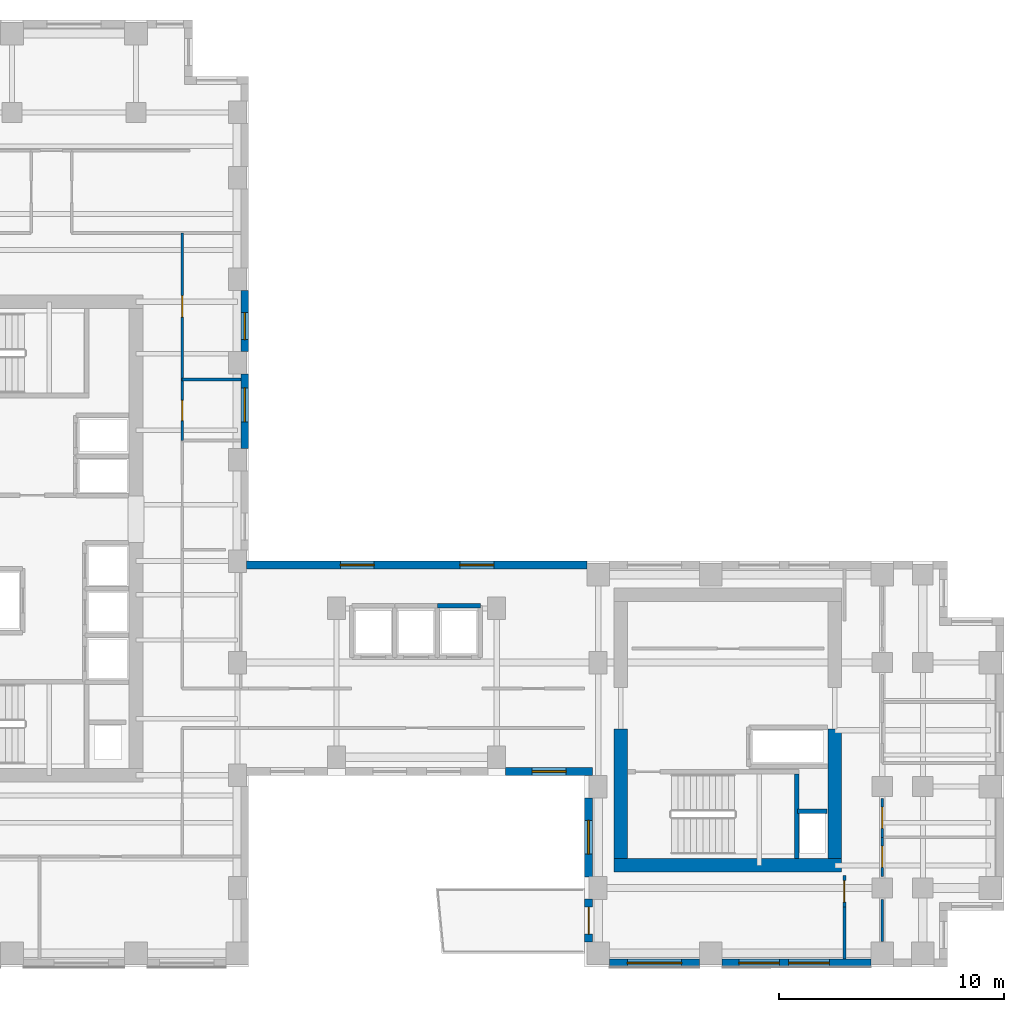
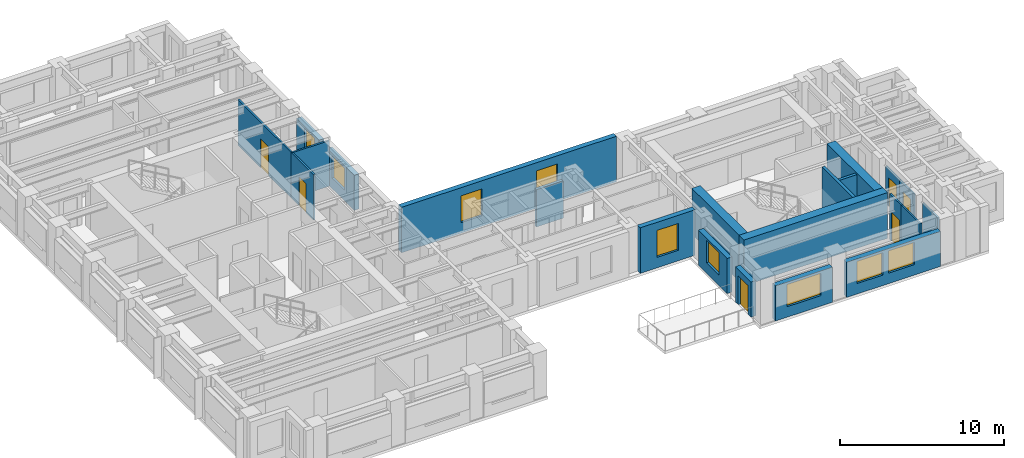
# One storey, part 6 of 12: 22 walls, 9 windows, 6 doors, 15 openings.
"""IFC4 building model written with IfcOpenShell, lengths in metres."""

import ifcopenshell
import ifcopenshell.guid

model = None  # the IFC model being written
_history = None  # IfcOwnerHistory: only IFC2X3 demands one
_inside = {}  # id of a spatial element -> (the spatial element, [elements in it])
_under = {}  # id of a project, library or spatial element -> (it, [spatial elements below it])
_declared = {}  # id of a project -> (the project, [libraries it declares])
_typed = {}  # id of a type object -> (the type object, [elements of that type])
_made_of = {}  # id of a material, layer set ... -> (it, [elements and type objects made of it])


def new_model(schema):
    """Start an empty IFC model of exactly this schema.

    Asked for "IFC4X3", IfcOpenShell would pick the latest addendum, in which some entities
    have other attributes; the version numbers below select the first issue.
    IFC2X3 requires an IfcOwnerHistory on every rooted entity: one is made here for all.
    """
    global model, _history
    if schema == "IFC4X3":
        model = ifcopenshell.file(schema_version=(4, 3, 0, 0))
    else:
        model = ifcopenshell.file(schema=schema)
    _inside.clear()
    _under.clear()
    _declared.clear()
    _typed.clear()
    _made_of.clear()
    _history = None
    if model.schema == "IFC2X3":
        org = make("IfcOrganization", Name="unknown")
        user = make(
            "IfcPersonAndOrganization",
            ThePerson=make("IfcPerson", FamilyName="unknown"),
            TheOrganization=org,
        )
        app = make(
            "IfcApplication",
            ApplicationDeveloper=org,
            Version="unknown",
            ApplicationFullName="unknown",
            ApplicationIdentifier="unknown",
        )
        _history = make(
            "IfcOwnerHistory",
            OwningUser=user,
            OwningApplication=app,
            ChangeAction="ADDED",
            CreationDate=0,
        )
    return model


def make(cls, **values):
    """One entity of the class cls with the attributes given. An attribute that is None is left unset."""
    return model.create_entity(
        cls, **{name: value for name, value in values.items() if value is not None}
    )


def rooted(cls, **values):
    """An entity with a GlobalId (a new one), such as an element, a storey or a relation."""
    return make(cls, GlobalId=ifcopenshell.guid.new(), OwnerHistory=_history, **values)


def si_unit(unit_type, name, prefix=None):
    """IfcSIUnit, for example si_unit("LENGTHUNIT", "METRE", prefix="MILLI")."""
    return make("IfcSIUnit", UnitType=unit_type, Prefix=prefix, Name=name)


def assignment(units):
    """IfcUnitAssignment: the units of a project."""
    return None if units is None else make("IfcUnitAssignment", Units=units)


def point(xyz):
    """IfcCartesianPoint."""
    return None if xyz is None else make("IfcCartesianPoint", Coordinates=xyz)


def direction(xyz):
    """IfcDirection."""
    return None if xyz is None else make("IfcDirection", DirectionRatios=xyz)


def frame(location, z_axis=None, x_axis=None):
    """IfcAxis2Placement3D, a coordinate frame: its origin and axes. An axis left out is left unset."""
    return make(
        "IfcAxis2Placement3D",
        Location=point(location),
        Axis=direction(z_axis),
        RefDirection=direction(x_axis),
    )


def frame_2d(location, x_axis=None):
    """IfcAxis2Placement2D, a coordinate frame in the plane: its origin and x axis."""
    return make(
        "IfcAxis2Placement2D", Location=point(location), RefDirection=direction(x_axis)
    )


def origin():
    """The frame at (0, 0, 0) with its axes left unset."""
    return frame((0.0, 0.0, 0.0))


def place(relative_to, where):
    """IfcLocalPlacement: puts the frame where relative to a parent placement (None: the world)."""
    return make(
        "IfcLocalPlacement", PlacementRelTo=relative_to, RelativePlacement=where
    )


def context(
    kind, dimensions, precision=None, world=None, true_north=None, identifier=None
):
    """IfcGeometricRepresentationContext, for example the 3D "Model" context."""
    return make(
        "IfcGeometricRepresentationContext",
        ContextIdentifier=identifier,
        ContextType=kind,
        CoordinateSpaceDimension=dimensions,
        Precision=precision,
        WorldCoordinateSystem=world,
        TrueNorth=true_north,
    )


def subcontext(parent, identifier, kind, view, scale=None):
    """IfcGeometricRepresentationSubContext, for example "Body" below "Model"."""
    return make(
        "IfcGeometricRepresentationSubContext",
        ContextIdentifier=identifier,
        ContextType=kind,
        ParentContext=parent,
        TargetScale=scale,
        TargetView=view,
    )


def project(units=None, contexts=None):
    """IfcProject with its units and contexts."""
    return rooted(
        "IfcProject",
        Name="project",
        RepresentationContexts=contexts,
        UnitsInContext=assignment(units),
    )


def spatial(cls, under=None, at=None, **own):
    """A site, building, storey or space (cls), placed at a placement, below another one or the project."""
    s = rooted(cls, ObjectPlacement=at, **own)
    if under is not None:
        _under.setdefault(under.id(), (under, []))[1].append(s)
    return s


def profile(cls, at=None, kind="AREA", **sizes):
    """A parametric profile (cls). Its sizes go by their IFC names, for example OverallWidth=200.0."""
    return make(cls, ProfileType=kind, Position=at, **sizes)


def rectangle(**sizes):
    """IfcRectangleProfileDef."""
    return profile("IfcRectangleProfileDef", **sizes)


def extrude(swept, where, along, depth):
    """IfcExtrudedAreaSolid: the profile swept, set in the frame where, extruded along a direction by depth."""
    return make(
        "IfcExtrudedAreaSolid",
        SweptArea=swept,
        Position=where,
        ExtrudedDirection=direction(along),
        Depth=depth,
    )


def shape(context_of_items, identifier, shape_type, items):
    """IfcShapeRepresentation: the items that make up one representation, for example the "Body"."""
    return make(
        "IfcShapeRepresentation",
        ContextOfItems=context_of_items,
        RepresentationIdentifier=identifier,
        RepresentationType=shape_type,
        Items=items,
    )


def source(mapping_origin, context_of_items, identifier, shape_type, items):
    """IfcRepresentationMap: a shape defined once, which mapped items show again and again."""
    return make(
        "IfcRepresentationMap",
        MappingOrigin=mapping_origin,
        MappedRepresentation=shape(context_of_items, identifier, shape_type, items),
    )


def transform(
    local_origin,
    x_axis=None,
    y_axis=None,
    z_axis=None,
    scale=None,
    scale2=None,
    scale3=None,
    uniform=True,
):
    """IfcCartesianTransformationOperator3D, or its non-uniform kind. x_axis, y_axis, z_axis: its Axis1, 2, 3."""
    if uniform:
        return make(
            "IfcCartesianTransformationOperator3D",
            Axis1=direction(x_axis),
            Axis2=direction(y_axis),
            LocalOrigin=point(local_origin),
            Scale=scale,
            Axis3=direction(z_axis),
        )
    return make(
        "IfcCartesianTransformationOperator3DnonUniform",
        Axis1=direction(x_axis),
        Axis2=direction(y_axis),
        LocalOrigin=point(local_origin),
        Scale=scale,
        Axis3=direction(z_axis),
        Scale2=scale2,
        Scale3=scale3,
    )


def mapped(mapping_source, mapping_target):
    """IfcMappedItem: shows the shape of a source again, moved by a transform."""
    return make(
        "IfcMappedItem", MappingSource=mapping_source, MappingTarget=mapping_target
    )


def material(Name=None, Category=None):
    """IfcMaterial."""
    return make("IfcMaterial", Name=Name, Category=Category)


def layer(
    of_material, thickness, ventilated=None, Name=None, Category=None, Priority=None
):
    """IfcMaterialLayer: one layer of a wall or slab, of a material (None: an air gap)."""
    return make(
        "IfcMaterialLayer",
        Material=of_material,
        LayerThickness=thickness,
        IsVentilated=ventilated,
        Name=Name,
        Category=Category,
        Priority=Priority,
    )


def layer_set(layers, Name=None):
    """IfcMaterialLayerSet."""
    return make("IfcMaterialLayerSet", MaterialLayers=layers, LayerSetName=Name)


def made_of(thing, what):
    """Note that an element or type object is made of a material, layer set ...; save() writes the relation."""
    if what is not None:
        _made_of.setdefault(what.id(), (what, []))[1].append(thing)
    return thing


def type_object(cls, material=None, **own):
    """A type object (cls), such as IfcWallType, which elements share."""
    return made_of(rooted(cls, **own), material)


def element(
    cls,
    number,
    at=None,
    inside=None,
    cuts=None,
    type_object=None,
    material=None,
    context=None,
    identifier="Body",
    shape_type=None,
    held_by="IfcProductDefinitionShape",
    body=None,
    shapes=None,
    **own,
):
    """One element of the class cls, such as IfcWall. Its Tag is "e" and its number.

    at: its placement. inside: the storey or other place that contains it. cuts: it is an
    opening in that element (IfcRelVoidsElement). A single representation is given by context,
    identifier, shape_type and body (its items); several are given by shapes. held_by: the class
    of the entity that holds the representations. save() writes the other relations.
    """
    e = rooted(cls, Tag="e%d" % number, ObjectPlacement=at, **own)
    if body is not None:
        shapes = [shape(context, identifier, shape_type, body)]
    if shapes is not None:
        e.Representation = make(held_by, Representations=shapes)
    if inside is not None:
        _inside.setdefault(inside.id(), (inside, []))[1].append(e)
    if cuts is not None:
        rooted(
            "IfcRelVoidsElement", RelatingBuildingElement=cuts, RelatedOpeningElement=e
        )
    if type_object is not None:
        _typed.setdefault(type_object.id(), (type_object, []))[1].append(e)
    return made_of(e, material)


def fill(opening, filler):
    """IfcRelFillsElement: the door or window that sits in an opening."""
    return rooted(
        "IfcRelFillsElement",
        RelatingOpeningElement=opening,
        RelatedBuildingElement=filler,
    )


def aggregate(whole, parts):
    """IfcRelAggregates: a whole, such as a stair, and the parts it consists of."""
    return rooted("IfcRelAggregates", RelatingObject=whole, RelatedObjects=parts)


def save(model, path):
    """Write the relations noted so far, then the file.

    IfcRelAggregates (storeys below a building ...), IfcRelContainedInSpatialStructure (elements
    in a storey), IfcRelDefinesByType, IfcRelAssociatesMaterial and IfcRelDeclares: one each for
    every whole, place, type object, material and project.
    """
    for whole, parts in _under.values():
        aggregate(whole, parts)
    for where, things in _inside.values():
        rooted(
            "IfcRelContainedInSpatialStructure",
            RelatedElements=things,
            RelatingStructure=where,
        )
    for kind, things in _typed.values():
        rooted("IfcRelDefinesByType", RelatedObjects=things, RelatingType=kind)
    for what, things in _made_of.values():
        rooted("IfcRelAssociatesMaterial", RelatedObjects=things, RelatingMaterial=what)
    for by, libraries in _declared.values():
        rooted("IfcRelDeclares", RelatingContext=by, RelatedDefinitions=libraries)
    model.write(path)


model = new_model("IFC4")

# Units and contexts
model_context = context("Model", 3, precision=1e-05, world=origin(), true_north=direction((0.0, 1.0)))
body_context = subcontext(model_context, "Body", "Model", "MODEL_VIEW")
ifc_project = project(units=[si_unit("LENGTHUNIT", "METRE"), si_unit("AREAUNIT", "SQUARE_METRE"), si_unit("VOLUMEUNIT", "CUBIC_METRE"), si_unit("PLANEANGLEUNIT", "RADIAN"), si_unit("MASSUNIT", "GRAM", prefix="KILO")], contexts=[model_context])

# Site, building, storey
site_placement = place(None, origin())
site = spatial("IfcSite", under=ifc_project, at=site_placement, CompositionType="ELEMENT")
building_placement = place(site_placement, origin())
building = spatial("IfcBuilding", under=site, at=building_placement, Name="Kharzan Plaza Tower", CompositionType="ELEMENT")
storey_placement = place(building_placement, frame((0.0, 0.0, 179.10009765625)))
storey = spatial("IfcBuildingStorey", under=building, at=storey_placement, Name="L48", CompositionType="ELEMENT", Elevation=179.10009765625)

# Wall, opening, window
ifc_material_1 = material(Name="Concrete C40/50", Category="concrete")
ifc_layer_1 = layer(ifc_material_1, 0.35009765625)
ifc_layer_set_1 = layer_set([ifc_layer_1], Name="Concrete C40/50")
wall_type_1 = type_object("IfcWallType", Name="WL-EXT-MAS-Z3", PredefinedType="SOLIDWALL", material=ifc_layer_set_1)
wall_1_placement = place(storey_placement, frame((30.89794921875, 8.675048828125, 0.0), z_axis=(0.0, 0.0, 1.0), x_axis=(1.0, 0.0, 0.0)))
wall_1 = element("IfcWall", 1, at=wall_1_placement, inside=storey, type_object=wall_type_1, Name="L48 Masonry-Frame Exterior Wall 28", PredefinedType="SOLIDWALL", context=body_context, shape_type="SweptSolid", body=[
    extrude(rectangle(XDim=3.85205078125, YDim=0.35009765625, at=frame_2d((1.926025390625, 0.0))), origin(), (0.0, 0.0, 1.0), 3.385009765625),
])
opening_1_placement = place(wall_1_placement, frame((1.176025390625, 0.0, 0.780029296875)))
opening_1 = element("IfcOpeningElement", 2, at=opening_1_placement, cuts=wall_1, Name="Opening W5", PredefinedType="OPENING", context=body_context, shape_type="SweptSolid", body=[
    extrude(rectangle(XDim=1.5, YDim=2.0, at=frame_2d((0.75, 1.0))), frame((0.0, 0.18505859375, 0.0), z_axis=(0.0, -1.0, 0.0), x_axis=(1.0, 0.0, 0.0)), (0.0, 0.0, 1.0), 0.3701171875),
])
ifc_material_2 = material(Name="Low-E Double Glazing", Category="glass")
window_type_1 = type_object("IfcWindowType", Name="WN-SLT-1500x2000", PartitioningType="SINGLE_PANEL", PredefinedType="WINDOW", material=ifc_material_2)
shared_shape_1 = source(origin(), body_context, "Body", "SweptSolid", [
    extrude(rectangle(XDim=1.5, YDim=2.0, at=frame_2d((0.75, 1.0))), frame((0.0, 0.030029296875, 0.0), z_axis=(0.0, -1.0, 0.0), x_axis=(1.0, 0.0, 0.0)), (0.0, 0.0, 1.0), 0.06005859375),
])
window_1_placement = place(opening_1_placement, origin())
window_1 = element("IfcWindow", 3, at=window_1_placement, inside=storey, type_object=window_type_1, Name="L48 Recessed Solar-Control Window 28-1", OverallHeight=2.0, OverallWidth=1.5, PartitioningType="SINGLE_PANEL", PredefinedType="WINDOW", context=body_context, shape_type="MappedRepresentation", body=[
    mapped(shared_shape_1, transform((0.0, 0.0, 0.0), x_axis=(1.0, 0.0, 0.0), y_axis=(0.0, 1.0, 0.0), z_axis=(0.0, 0.0, 1.0))),
])
fill(opening_1, window_1)

wall_2_placement = place(storey_placement, frame((34.574951171875, 7.501953125, 0.0), z_axis=(0.0, 0.0, 1.0), x_axis=(0.0, -1.0, 0.0)))
wall_2 = element("IfcWall", 4, at=wall_2_placement, inside=storey, type_object=wall_type_1, Name="L48 Masonry-Frame Exterior Wall 29", PredefinedType="SOLIDWALL", context=body_context, shape_type="SweptSolid", body=[
    extrude(rectangle(XDim=3.50390625, YDim=0.35009765625, at=frame_2d((1.751953125, 0.0))), origin(), (0.0, 0.0, 1.0), 2.61181640625),
])
opening_2_placement = place(wall_2_placement, frame((1.001953125, 0.0, 0.780029296875)))
opening_2 = element("IfcOpeningElement", 5, at=opening_2_placement, cuts=wall_2, Name="Opening W5", PredefinedType="OPENING", context=body_context, shape_type="SweptSolid", body=[
    extrude(rectangle(XDim=1.5, YDim=1.652099609375, at=frame_2d((0.75, 0.826171875))), frame((0.0, 0.18505859375, 0.0), z_axis=(0.0, -1.0, 0.0), x_axis=(1.0, 0.0, 0.0)), (0.0, 0.0, 1.0), 0.3701171875),
])
shared_shape_2 = source(origin(), body_context, "Body", "SweptSolid", [
    extrude(rectangle(XDim=1.5, YDim=1.652099609375, at=frame_2d((0.75, 0.826171875))), frame((0.0, 0.030029296875, 0.0), z_axis=(0.0, -1.0, 0.0), x_axis=(1.0, 0.0, 0.0)), (0.0, 0.0, 1.0), 0.06005859375),
])
window_2_placement = place(opening_2_placement, origin())
window_2 = element("IfcWindow", 6, at=window_2_placement, inside=storey, type_object=window_type_1, Name="L48 Recessed Solar-Control Window 29-1", OverallHeight=1.652099609375, OverallWidth=1.5, PartitioningType="SINGLE_PANEL", PredefinedType="WINDOW", context=body_context, shape_type="MappedRepresentation", body=[
    mapped(shared_shape_2, transform((0.0, 0.0, 0.0), x_axis=(1.0, 0.0, 0.0), y_axis=(0.0, 1.0, 0.0), z_axis=(0.0, 0.0, 1.0))),
])
fill(opening_2, window_2)

# Wall, opening, door
wall_3_placement = place(storey_placement, frame((34.574951171875, 3.001953125, 0.0), z_axis=(0.0, 0.0, 1.0), x_axis=(0.0, -1.0, 0.0)))
wall_3 = element("IfcWall", 7, at=wall_3_placement, inside=storey, type_object=wall_type_1, Name="L48 Masonry-Frame Exterior Wall 30", PredefinedType="SOLIDWALL", context=body_context, shape_type="SweptSolid", body=[
    extrude(rectangle(XDim=1.904052734375, YDim=0.35009765625, at=frame_2d((0.9521484375, 0.0))), origin(), (0.0, 0.0, 1.0), 2.61181640625),
])
opening_3_placement = place(wall_3_placement, frame((0.35205078125, 0.0, 0.0)))
opening_3 = element("IfcOpeningElement", 8, at=opening_3_placement, cuts=wall_3, Name="Opening ED3", PredefinedType="OPENING", context=body_context, shape_type="SweptSolid", body=[
    extrude(rectangle(XDim=1.199951171875, YDim=2.14990234375, at=frame_2d((0.60009765625, 1.074951171875))), frame((0.0, 0.18505859375, 0.0), z_axis=(0.0, -1.0, 0.0), x_axis=(1.0, 0.0, 0.0)), (0.0, 0.0, 1.0), 0.3701171875),
])
ifc_material_3 = material(Name="Thermally Broken Anodized Bronze Aluminium", Category="aluminium")
door_type_1 = type_object("IfcDoorType", Name="DR-EXT-TRAY-1200", OperationType="SINGLE_SWING_LEFT", PredefinedType="DOOR", material=ifc_material_3)
shared_shape_3 = source(origin(), body_context, "Body", "SweptSolid", [
    extrude(rectangle(XDim=1.199951171875, YDim=2.14990234375, at=frame_2d((0.60009765625, 1.074951171875))), frame((0.0, 0.02490234375, 0.0), z_axis=(0.0, -1.0, 0.0), x_axis=(1.0, 0.0, 0.0)), (0.0, 0.0, 1.0), 0.050048828125),
])
door_1_placement = place(opening_3_placement, frame((1.199951171875, 0.0, 0.0), z_axis=(0.0, 0.0, 1.0), x_axis=(-1.0, 0.0, 0.0)))
door_1 = element("IfcDoor", 9, at=door_1_placement, inside=storey, type_object=door_type_1, Name="L48 Cantilevered Sky-Terrace Tray Access Door", OperationType="SINGLE_SWING_LEFT", OverallHeight=2.14990234375, OverallWidth=1.199951171875, PredefinedType="DOOR", context=body_context, shape_type="MappedRepresentation", body=[
    mapped(shared_shape_3, transform((0.0, 0.0, 0.0), x_axis=(1.0, 0.0, 0.0), y_axis=(0.0, 1.0, 0.0), z_axis=(0.0, 0.0, 1.0))),
])
fill(opening_3, door_1)

# Wall, opening, window
wall_4_placement = place(storey_placement, frame((35.498046875, 0.175048828125, 0.0), z_axis=(0.0, 0.0, 1.0), x_axis=(1.0, 0.0, 0.0)))
wall_4 = element("IfcWall", 10, at=wall_4_placement, inside=storey, type_object=wall_type_1, Name="L48 Masonry-Frame Exterior Wall 31", PredefinedType="SOLIDWALL", context=body_context, shape_type="SweptSolid", body=[
    extrude(rectangle(XDim=4.00390625, YDim=0.35009765625, at=frame_2d((2.001953125, 0.0))), origin(), (0.0, 0.0, 1.0), 2.61181640625),
])
opening_4_placement = place(wall_4_placement, frame((0.802001953125, 0.0, 0.780029296875)))
opening_4 = element("IfcOpeningElement", 11, at=opening_4_placement, cuts=wall_4, Name="Opening W2", PredefinedType="OPENING", context=body_context, shape_type="SweptSolid", body=[
    extrude(rectangle(XDim=2.39990234375, YDim=1.652099609375, at=frame_2d((1.199951171875, 0.826171875))), frame((0.0, 0.18505859375, 0.0), z_axis=(0.0, -1.0, 0.0), x_axis=(1.0, 0.0, 0.0)), (0.0, 0.0, 1.0), 0.3701171875),
])
window_type_2 = type_object("IfcWindowType", Name="WN-REC-2400x2100", PartitioningType="SINGLE_PANEL", PredefinedType="WINDOW", material=ifc_material_2)
shared_shape_4 = source(origin(), body_context, "Body", "SweptSolid", [
    extrude(rectangle(XDim=2.39990234375, YDim=1.652099609375, at=frame_2d((1.199951171875, 0.826171875))), frame((0.0, 0.030029296875, 0.0), z_axis=(0.0, -1.0, 0.0), x_axis=(1.0, 0.0, 0.0)), (0.0, 0.0, 1.0), 0.06005859375),
])
window_3_placement = place(opening_4_placement, origin())
window_3 = element("IfcWindow", 12, at=window_3_placement, inside=storey, type_object=window_type_2, Name="L48 Wide Recessed Solar-Control Window 31-1", OverallHeight=1.652099609375, OverallWidth=2.39990234375, PartitioningType="SINGLE_PANEL", PredefinedType="WINDOW", context=body_context, shape_type="MappedRepresentation", body=[
    mapped(shared_shape_4, transform((0.0, 0.0, 0.0), x_axis=(1.0, 0.0, 0.0), y_axis=(0.0, 1.0, 0.0), z_axis=(0.0, 0.0, 1.0))),
])
fill(opening_4, window_3)

# Wall, openings, windows
wall_5_placement = place(storey_placement, frame((40.498046875, 0.175048828125, 0.0), z_axis=(0.0, 0.0, 1.0), x_axis=(1.0, 0.0, 0.0)))
wall_5 = element("IfcWall", 13, at=wall_5_placement, inside=storey, type_object=wall_type_1, Name="L48 Masonry-Frame Exterior Wall 32", PredefinedType="SOLIDWALL", context=body_context, shape_type="SweptSolid", body=[
    extrude(rectangle(XDim=6.60400390625, YDim=0.35009765625, at=frame_2d((3.302001953125, 0.0))), origin(), (0.0, 0.0, 1.0), 2.61181640625),
])
opening_5_placement = place(wall_5_placement, frame((0.7373046875, 0.0, 0.780029296875)))
opening_5 = element("IfcOpeningElement", 14, at=opening_5_placement, cuts=wall_5, Name="Opening W1", PredefinedType="OPENING", context=body_context, shape_type="SweptSolid", body=[
    extrude(rectangle(XDim=1.800048828125, YDim=1.652099609375, at=frame_2d((0.89990234375, 0.826171875))), frame((0.0, 0.18505859375, 0.0), z_axis=(0.0, -1.0, 0.0), x_axis=(1.0, 0.0, 0.0)), (0.0, 0.0, 1.0), 0.3701171875),
])
opening_6_placement = place(wall_5_placement, frame((2.95458984375, 0.0, 0.780029296875)))
opening_6 = element("IfcOpeningElement", 15, at=opening_6_placement, cuts=wall_5, Name="Opening W1", PredefinedType="OPENING", context=body_context, shape_type="SweptSolid", body=[
    extrude(rectangle(XDim=1.800048828125, YDim=1.652099609375, at=frame_2d((0.89990234375, 0.826171875))), frame((0.0, 0.18505859375, 0.0), z_axis=(0.0, -1.0, 0.0), x_axis=(1.0, 0.0, 0.0)), (0.0, 0.0, 1.0), 0.3701171875),
])
window_type_3 = type_object("IfcWindowType", Name="WN-REC-1800x2100", PartitioningType="SINGLE_PANEL", PredefinedType="WINDOW", material=ifc_material_2)
shared_shape_5 = source(origin(), body_context, "Body", "SweptSolid", [
    extrude(rectangle(XDim=1.800048828125, YDim=1.652099609375, at=frame_2d((0.89990234375, 0.826171875))), frame((0.0, 0.030029296875, 0.0), z_axis=(0.0, -1.0, 0.0), x_axis=(1.0, 0.0, 0.0)), (0.0, 0.0, 1.0), 0.06005859375),
])
window_4_placement = place(opening_5_placement, origin())
window_4 = element("IfcWindow", 16, at=window_4_placement, inside=storey, type_object=window_type_3, Name="L48 Recessed Solar-Control Window 32-1", OverallHeight=1.652099609375, OverallWidth=1.800048828125, PartitioningType="SINGLE_PANEL", PredefinedType="WINDOW", context=body_context, shape_type="MappedRepresentation", body=[
    mapped(shared_shape_5, transform((0.0, 0.0, 0.0), x_axis=(1.0, 0.0, 0.0), y_axis=(0.0, 1.0, 0.0), z_axis=(0.0, 0.0, 1.0))),
])
fill(opening_5, window_4)
window_5_placement = place(opening_6_placement, origin())
window_5 = element("IfcWindow", 17, at=window_5_placement, inside=storey, type_object=window_type_3, Name="L48 Recessed Solar-Control Window 32-2", OverallHeight=1.652099609375, OverallWidth=1.800048828125, PartitioningType="SINGLE_PANEL", PredefinedType="WINDOW", context=body_context, shape_type="MappedRepresentation", body=[
    mapped(shared_shape_5, transform((0.0, 0.0, 0.0), x_axis=(1.0, 0.0, 0.0), y_axis=(0.0, 1.0, 0.0), z_axis=(0.0, 0.0, 1.0))),
])
fill(opening_6, window_5)

wall_6_placement = place(storey_placement, frame((34.501953125, 17.824951171875, 0.0), z_axis=(0.0, 0.0, 1.0), x_axis=(-1.0, 0.0, 0.0)))
wall_6 = element("IfcWall", 18, at=wall_6_placement, inside=storey, type_object=wall_type_1, Name="L48 Masonry-Frame Exterior Wall 46", PredefinedType="SOLIDWALL", context=body_context, shape_type="SweptSolid", body=[
    extrude(rectangle(XDim=15.10400390625, YDim=0.35009765625, at=frame_2d((7.552001953125, 0.0))), origin(), (0.0, 0.0, 1.0), 3.385009765625),
])
opening_7_placement = place(wall_6_placement, frame((4.131103515625, 0.0, 0.780029296875)))
opening_7 = element("IfcOpeningElement", 19, at=opening_7_placement, cuts=wall_6, Name="Opening W5", PredefinedType="OPENING", context=body_context, shape_type="SweptSolid", body=[
    extrude(rectangle(XDim=1.5, YDim=2.0, at=frame_2d((0.75, 1.0))), frame((0.0, 0.18505859375, 0.0), z_axis=(0.0, -1.0, 0.0), x_axis=(1.0, 0.0, 0.0)), (0.0, 0.0, 1.0), 0.3701171875),
])
opening_8_placement = place(wall_6_placement, frame((9.4423828125, 0.0, 0.780029296875)))
opening_8 = element("IfcOpeningElement", 20, at=opening_8_placement, cuts=wall_6, Name="Opening W5", PredefinedType="OPENING", context=body_context, shape_type="SweptSolid", body=[
    extrude(rectangle(XDim=1.5, YDim=2.0, at=frame_2d((0.75, 1.0))), frame((0.0, 0.18505859375, 0.0), z_axis=(0.0, -1.0, 0.0), x_axis=(1.0, 0.0, 0.0)), (0.0, 0.0, 1.0), 0.3701171875),
])
window_6_placement = place(opening_7_placement, origin())
window_6 = element("IfcWindow", 21, at=window_6_placement, inside=storey, type_object=window_type_1, Name="L48 Recessed Solar-Control Window 46-1", OverallHeight=2.0, OverallWidth=1.5, PartitioningType="SINGLE_PANEL", PredefinedType="WINDOW", context=body_context, shape_type="MappedRepresentation", body=[
    mapped(shared_shape_1, transform((0.0, 0.0, 0.0), x_axis=(1.0, 0.0, 0.0), y_axis=(0.0, 1.0, 0.0), z_axis=(0.0, 0.0, 1.0))),
])
fill(opening_7, window_6)
window_7_placement = place(opening_8_placement, origin())
window_7 = element("IfcWindow", 22, at=window_7_placement, inside=storey, type_object=window_type_1, Name="L48 Recessed Solar-Control Window 46-2", OverallHeight=2.0, OverallWidth=1.5, PartitioningType="SINGLE_PANEL", PredefinedType="WINDOW", context=body_context, shape_type="MappedRepresentation", body=[
    mapped(shared_shape_1, transform((0.0, 0.0, 0.0), x_axis=(1.0, 0.0, 0.0), y_axis=(0.0, 1.0, 0.0), z_axis=(0.0, 0.0, 1.0))),
])
fill(opening_8, window_7)

# Wall, opening, window
wall_7_placement = place(storey_placement, frame((19.324951171875, 22.998046875, 0.0), z_axis=(0.0, 0.0, 1.0), x_axis=(0.0, 1.0, 0.0)))
wall_7 = element("IfcWall", 23, at=wall_7_placement, inside=storey, type_object=wall_type_1, Name="L48 Masonry-Frame Exterior Wall 48", PredefinedType="SOLIDWALL", context=body_context, shape_type="SweptSolid", body=[
    extrude(rectangle(XDim=3.303955078125, YDim=0.35009765625, at=frame_2d((1.65185546875, 0.0))), origin(), (0.0, 0.0, 1.0), 2.61181640625),
])
opening_9_placement = place(wall_7_placement, frame((1.180419921875, 0.0, 0.780029296875)))
opening_9 = element("IfcOpeningElement", 24, at=opening_9_placement, cuts=wall_7, Name="Opening W5", PredefinedType="OPENING", context=body_context, shape_type="SweptSolid", body=[
    extrude(rectangle(XDim=1.5, YDim=1.652099609375, at=frame_2d((0.75, 0.826171875))), frame((0.0, 0.18505859375, 0.0), z_axis=(0.0, -1.0, 0.0), x_axis=(1.0, 0.0, 0.0)), (0.0, 0.0, 1.0), 0.3701171875),
])
window_8_placement = place(opening_9_placement, origin())
window_8 = element("IfcWindow", 25, at=window_8_placement, inside=storey, type_object=window_type_1, Name="L48 Recessed Solar-Control Window 48-1", OverallHeight=1.652099609375, OverallWidth=1.5, PartitioningType="SINGLE_PANEL", PredefinedType="WINDOW", context=body_context, shape_type="MappedRepresentation", body=[
    mapped(shared_shape_2, transform((0.0, 0.0, 0.0), x_axis=(1.0, 0.0, 0.0), y_axis=(0.0, 1.0, 0.0), z_axis=(0.0, 0.0, 1.0))),
])
fill(opening_9, window_8)

wall_8_placement = place(storey_placement, frame((19.324951171875, 27.298095703125, 0.0), z_axis=(0.0, 0.0, 1.0), x_axis=(0.0, 1.0, 0.0)))
wall_8 = element("IfcWall", 26, at=wall_8_placement, inside=storey, type_object=wall_type_1, Name="L48 Masonry-Frame Exterior Wall 49", PredefinedType="SOLIDWALL", context=body_context, shape_type="SweptSolid", body=[
    extrude(rectangle(XDim=2.703857421875, YDim=0.35009765625, at=frame_2d((1.35205078125, 0.0))), origin(), (0.0, 0.0, 1.0), 2.61181640625),
])
opening_10_placement = place(wall_8_placement, frame((0.523681640625, 0.0, 0.780029296875)))
opening_10 = element("IfcOpeningElement", 27, at=opening_10_placement, cuts=wall_8, Name="Opening W3", PredefinedType="OPENING", context=body_context, shape_type="SweptSolid", body=[
    extrude(rectangle(XDim=1.199951171875, YDim=1.652099609375, at=frame_2d((0.60009765625, 0.826171875))), frame((0.0, 0.18505859375, 0.0), z_axis=(0.0, -1.0, 0.0), x_axis=(1.0, 0.0, 0.0)), (0.0, 0.0, 1.0), 0.3701171875),
])
window_type_4 = type_object("IfcWindowType", Name="WN-REC-1200x2100", PartitioningType="SINGLE_PANEL", PredefinedType="WINDOW", material=ifc_material_2)
shared_shape_6 = source(origin(), body_context, "Body", "SweptSolid", [
    extrude(rectangle(XDim=1.199951171875, YDim=1.652099609375, at=frame_2d((0.60009765625, 0.826171875))), frame((0.0, 0.030029296875, 0.0), z_axis=(0.0, -1.0, 0.0), x_axis=(1.0, 0.0, 0.0)), (0.0, 0.0, 1.0), 0.06005859375),
])
window_9_placement = place(opening_10_placement, origin())
window_9 = element("IfcWindow", 28, at=window_9_placement, inside=storey, type_object=window_type_4, Name="L48 Recessed Solar-Control Window 49-1", OverallHeight=1.652099609375, OverallWidth=1.199951171875, PartitioningType="SINGLE_PANEL", PredefinedType="WINDOW", context=body_context, shape_type="MappedRepresentation", body=[
    mapped(shared_shape_6, transform((0.0, 0.0, 0.0), x_axis=(1.0, 0.0, 0.0), y_axis=(0.0, 1.0, 0.0), z_axis=(0.0, 0.0, 1.0))),
])
fill(opening_10, window_9)

# Wall, opening, door
ifc_material_4 = material(Name="Fire-Rated Gypsum Board Partition", Category="gypsum")
ifc_layer_2 = layer(ifc_material_4, 0.125)
ifc_layer_set_2 = layer_set([ifc_layer_2], Name="Fire-Rated Gypsum Board Partition")
wall_type_2 = type_object("IfcWallType", Name="WL-INT-PART-125", PredefinedType="PARTITIONING", material=ifc_layer_set_2)
wall_9_placement = place(storey_placement, frame((16.550048828125, 26.050048828125, 0.0), z_axis=(0.0, 0.0, 1.0), x_axis=(0.0, 1.0, 0.0)))
wall_9 = element("IfcWall", 29, at=wall_9_placement, inside=storey, type_object=wall_type_2, Name="L48 Interior Partition SH-AEWN3", PredefinedType="PARTITIONING", context=body_context, shape_type="SweptSolid", body=[
    extrude(rectangle(XDim=6.5, YDim=0.125, at=frame_2d((3.25, 0.0))), origin(), (0.0, 0.0, 1.0), 3.385009765625),
])
opening_11_placement = place(wall_9_placement, frame((2.77490234375, 0.0, 0.0)))
opening_11 = element("IfcOpeningElement", 30, at=opening_11_placement, cuts=wall_9, Name="Opening OD1", PredefinedType="OPENING", context=body_context, shape_type="SweptSolid", body=[
    extrude(rectangle(XDim=0.949951171875, YDim=2.14990234375, at=frame_2d((0.47509765625, 1.074951171875))), frame((0.0, 0.072509765625, 0.0), z_axis=(0.0, -1.0, 0.0), x_axis=(1.0, 0.0, 0.0)), (0.0, 0.0, 1.0), 0.14501953125),
])
ifc_material_5 = material(Name="Acoustic Solid-Core Stained Oak", Category="timber")
door_type_2 = type_object("IfcDoorType", Name="DR-OFF-SINGLE", OperationType="NOTDEFINED", PredefinedType="DOOR", material=ifc_material_5)
shared_shape_7 = source(origin(), body_context, "Body", "SweptSolid", [
    extrude(rectangle(XDim=0.949951171875, YDim=2.14990234375, at=frame_2d((0.47509765625, 1.074951171875))), frame((0.0, 0.02490234375, 0.0), z_axis=(0.0, -1.0, 0.0), x_axis=(1.0, 0.0, 0.0)), (0.0, 0.0, 1.0), 0.050048828125),
])
door_2_placement = place(opening_11_placement, origin())
door_2 = element("IfcDoor", 31, at=door_2_placement, inside=storey, type_object=door_type_2, Name="L48 Staff Tea Point Door", OperationType="SINGLE_SWING_LEFT", OverallHeight=2.14990234375, OverallWidth=0.949951171875, PredefinedType="DOOR", context=body_context, shape_type="MappedRepresentation", body=[
    mapped(shared_shape_7, transform((0.0, 0.0, 0.0), x_axis=(1.0, 0.0, 0.0), y_axis=(0.0, 1.0, 0.0), z_axis=(0.0, 0.0, 1.0))),
])
fill(opening_11, door_2)

wall_10_placement = place(storey_placement, frame((16.550048828125, 23.35009765625, 0.0), z_axis=(0.0, 0.0, 1.0), x_axis=(0.0, 1.0, 0.0)))
wall_10 = element("IfcWall", 32, at=wall_10_placement, inside=storey, type_object=wall_type_2, Name="L48 Interior Partition SH-AEWW", PredefinedType="PARTITIONING", context=body_context, shape_type="SweptSolid", body=[
    extrude(rectangle(XDim=2.699951171875, YDim=0.125, at=frame_2d((1.35009765625, 0.0))), origin(), (0.0, 0.0, 1.0), 3.385009765625),
])
opening_12_placement = place(wall_10_placement, frame((0.875, 0.0, 0.0)))
opening_12 = element("IfcOpeningElement", 33, at=opening_12_placement, cuts=wall_10, Name="Opening WD1", PredefinedType="OPENING", context=body_context, shape_type="SweptSolid", body=[
    extrude(rectangle(XDim=0.89990234375, YDim=2.14990234375, at=frame_2d((0.449951171875, 1.074951171875))), frame((0.0, 0.072509765625, 0.0), z_axis=(0.0, -1.0, 0.0), x_axis=(1.0, 0.0, 0.0)), (0.0, 0.0, 1.0), 0.14501953125),
])
ifc_material_6 = material(Name="Moisture-Resistant Fire-Rated Laminate", Category="timber")
door_type_3 = type_object("IfcDoorType", Name="DR-WC-900", OperationType="NOTDEFINED", PredefinedType="DOOR", material=ifc_material_6)
shared_shape_8 = source(origin(), body_context, "Body", "SweptSolid", [
    extrude(rectangle(XDim=0.89990234375, YDim=2.14990234375, at=frame_2d((0.449951171875, 1.074951171875))), frame((0.0, 0.02490234375, 0.0), z_axis=(0.0, -1.0, 0.0), x_axis=(1.0, 0.0, 0.0)), (0.0, 0.0, 1.0), 0.050048828125),
])
door_3_placement = place(opening_12_placement, origin())
door_3 = element("IfcDoor", 34, at=door_3_placement, inside=storey, type_object=door_type_3, Name="L48 Wing A Washroom Door", OperationType="SINGLE_SWING_RIGHT", OverallHeight=2.14990234375, OverallWidth=0.89990234375, PredefinedType="DOOR", context=body_context, shape_type="MappedRepresentation", body=[
    mapped(shared_shape_8, transform((0.0, 0.0, 0.0), x_axis=(1.0, 0.0, 0.0), y_axis=(0.0, 1.0, 0.0), z_axis=(0.0, 0.0, 1.0))),
])
fill(opening_12, door_3)

wall_11_placement = place(storey_placement, frame((47.60009765625, 4.02001953125, 0.0), z_axis=(0.0, 0.0, 1.0), x_axis=(0.0, 1.0, 0.0)))
wall_11 = element("IfcWall", 35, at=wall_11_placement, inside=storey, type_object=wall_type_2, Name="L48 Interior Partition SH-B3W0", PredefinedType="PARTITIONING", context=body_context, shape_type="SweptSolid", body=[
    extrude(rectangle(XDim=1.72998046875, YDim=0.125, at=frame_2d((0.864990234375, 0.0))), origin(), (0.0, 0.0, 1.0), 2.77294921875),
])
opening_13_placement = place(wall_11_placement, frame((0.389892578125, 0.0, 0.0)))
opening_13 = element("IfcOpeningElement", 36, at=opening_13_placement, cuts=wall_11, Name="Opening OD1", PredefinedType="OPENING", context=body_context, shape_type="SweptSolid", body=[
    extrude(rectangle(XDim=0.949951171875, YDim=2.14990234375, at=frame_2d((0.47509765625, 1.074951171875))), frame((0.0, 0.072509765625, 0.0), z_axis=(0.0, -1.0, 0.0), x_axis=(1.0, 0.0, 0.0)), (0.0, 0.0, 1.0), 0.14501953125),
])
door_4_placement = place(opening_13_placement, origin())
door_4 = element("IfcDoor", 37, at=door_4_placement, inside=storey, type_object=door_type_2, Name="L48 Wing B Office 1 Door", OperationType="SINGLE_SWING_RIGHT", OverallHeight=2.14990234375, OverallWidth=0.949951171875, PredefinedType="DOOR", context=body_context, shape_type="MappedRepresentation", body=[
    mapped(shared_shape_7, transform((0.0, 0.0, 0.0), x_axis=(1.0, 0.0, 0.0), y_axis=(0.0, 1.0, 0.0), z_axis=(0.0, 0.0, 1.0))),
])
fill(opening_13, door_4)

wall_12_placement = place(storey_placement, frame((47.60009765625, 5.75, 0.0), z_axis=(0.0, 0.0, 1.0), x_axis=(0.0, 1.0, 0.0)))
wall_12 = element("IfcWall", 38, at=wall_12_placement, inside=storey, type_object=wall_type_2, Name="L48 Interior Partition SH-B3W1", PredefinedType="PARTITIONING", context=body_context, shape_type="SweptSolid", body=[
    extrude(rectangle(XDim=1.72998046875, YDim=0.125, at=frame_2d((0.864990234375, 0.0))), origin(), (0.0, 0.0, 1.0), 2.77294921875),
])
opening_14_placement = place(wall_12_placement, frame((0.389892578125, 0.0, 0.0)))
opening_14 = element("IfcOpeningElement", 39, at=opening_14_placement, cuts=wall_12, Name="Opening OD1", PredefinedType="OPENING", context=body_context, shape_type="SweptSolid", body=[
    extrude(rectangle(XDim=0.949951171875, YDim=2.14990234375, at=frame_2d((0.47509765625, 1.074951171875))), frame((0.0, 0.072509765625, 0.0), z_axis=(0.0, -1.0, 0.0), x_axis=(1.0, 0.0, 0.0)), (0.0, 0.0, 1.0), 0.14501953125),
])
door_5_placement = place(opening_14_placement, origin())
door_5 = element("IfcDoor", 40, at=door_5_placement, inside=storey, type_object=door_type_2, Name="L48 Wing B Office 2 Door", OperationType="SINGLE_SWING_LEFT", OverallHeight=2.14990234375, OverallWidth=0.949951171875, PredefinedType="DOOR", context=body_context, shape_type="MappedRepresentation", body=[
    mapped(shared_shape_7, transform((0.0, 0.0, 0.0), x_axis=(1.0, 0.0, 0.0), y_axis=(0.0, 1.0, 0.0), z_axis=(0.0, 0.0, 1.0))),
])
fill(opening_14, door_5)

wall_13_placement = place(storey_placement, frame((45.919921875, 2.64990234375, 0.0), z_axis=(0.0, 0.0, 1.0), x_axis=(0.0, 1.0, 0.0)))
wall_13 = element("IfcWall", 41, at=wall_13_placement, inside=storey, type_object=wall_type_2, Name="L48 Interior Partition SH-RBSE", PredefinedType="PARTITIONING", context=body_context, shape_type="SweptSolid", body=[
    extrude(rectangle(XDim=1.400146484375, YDim=0.125, at=frame_2d((0.7001953125, 0.0))), origin(), (0.0, 0.0, 1.0), 3.385009765625),
])
opening_15_placement = place(wall_13_placement, frame((0.22509765625, 0.0, 0.0)))
opening_15 = element("IfcOpeningElement", 42, at=opening_15_placement, cuts=wall_13, Name="Opening OD1", PredefinedType="OPENING", context=body_context, shape_type="SweptSolid", body=[
    extrude(rectangle(XDim=0.949951171875, YDim=2.14990234375, at=frame_2d((0.47509765625, 1.074951171875))), frame((0.0, 0.072509765625, 0.0), z_axis=(0.0, -1.0, 0.0), x_axis=(1.0, 0.0, 0.0)), (0.0, 0.0, 1.0), 0.14501953125),
])
door_6_placement = place(opening_15_placement, origin())
door_6 = element("IfcDoor", 43, at=door_6_placement, inside=storey, type_object=door_type_2, Name="L48 South-East Corner Office Door", OperationType="SINGLE_SWING_LEFT", OverallHeight=2.14990234375, OverallWidth=0.949951171875, PredefinedType="DOOR", context=body_context, shape_type="MappedRepresentation", body=[
    mapped(shared_shape_7, transform((0.0, 0.0, 0.0), x_axis=(1.0, 0.0, 0.0), y_axis=(0.0, 1.0, 0.0), z_axis=(0.0, 0.0, 1.0))),
])
fill(opening_15, door_6)

# Walls
ifc_material_7 = material(Name="Concrete C50/60", Category="concrete")
ifc_layer_3 = layer(ifc_material_7, 0.60009765625)
ifc_layer_set_3 = layer_set([ifc_layer_3], Name="Concrete C50/60")
wall_type_3 = type_object("IfcWallType", Name="WL-CORE-600", PredefinedType="SHEAR", material=ifc_layer_set_3)
shared_shape_9 = source(origin(), body_context, "Body", "SweptSolid", [
    extrude(rectangle(XDim=5.75, YDim=0.60009765625, at=frame_2d((2.875, 0.0))), origin(), (0.0, 0.0, 1.0), 3.39990234375),
])
for number, where, z_axis, x_axis, name in (
    (44, (45.5, 4.800048828125, 0.0), (0.0, 0.0, 1.0), (0.0, 1.0, 0.0), "L48 CORE-B east shear pier 1"),
    (45, (36.0, 4.800048828125, 0.0), (0.0, 0.0, 1.0), (0.0, 1.0, 0.0), "L48 CORE-B west shear pier 1"),
):
    element("IfcWall", number, at=place(storey_placement, frame(where, z_axis=z_axis, x_axis=x_axis)), inside=storey, type_object=wall_type_3, Name=name, PredefinedType="SHEAR", context=body_context, shape_type="MappedRepresentation", body=[
        mapped(shared_shape_9, transform((0.0, 0.0, 0.0), x_axis=(1.0, 0.0, 0.0), y_axis=(0.0, 1.0, 0.0), z_axis=(0.0, 0.0, 1.0))),
    ])
shared_shape_10 = source(origin(), body_context, "Body", "SweptSolid", [
    extrude(rectangle(XDim=10.10009765625, YDim=0.60009765625, at=frame_2d((5.050048828125, 0.0))), origin(), (0.0, 0.0, 1.0), 3.39990234375),
])
wall_14_placement = place(storey_placement, frame((35.699951171875, 4.5, 0.0), z_axis=(0.0, 0.0, 1.0), x_axis=(1.0, 0.0, 0.0)))
element("IfcWall", 46, at=wall_14_placement, inside=storey, type_object=wall_type_3, Name="L48 CORE-B south RC shear wall", PredefinedType="SHEAR", context=body_context, shape_type="MappedRepresentation", body=[
    mapped(shared_shape_10, transform((0.0, 0.0, 0.0), x_axis=(1.0, 0.0, 0.0), y_axis=(0.0, 1.0, 0.0), z_axis=(0.0, 0.0, 1.0))),
])
shared_shape_11 = source(origin(), body_context, "Body", "SweptSolid", [
    extrude(rectangle(XDim=2.2978515625, YDim=0.125, at=frame_2d((1.14892578125, 0.0))), origin(), (0.0, 0.0, 1.0), 3.385009765625),
])
wall_15_placement = place(storey_placement, frame((45.919921875, 0.35205078125, 0.0), z_axis=(0.0, 0.0, 1.0), x_axis=(0.0, 1.0, 0.0)))
element("IfcWall", 47, at=wall_15_placement, inside=storey, type_object=wall_type_2, Name="L48 Interior Partition SH-RBSE0", PredefinedType="PARTITIONING", context=body_context, shape_type="MappedRepresentation", body=[
    mapped(shared_shape_11, transform((0.0, 0.0, 0.0), x_axis=(1.0, 0.0, 0.0), y_axis=(0.0, 1.0, 0.0), z_axis=(0.0, 0.0, 1.0))),
])
ifc_layer_4 = layer(ifc_material_1, 0.199951171875)
ifc_layer_set_4 = layer_set([ifc_layer_4], Name="Concrete C40/50")
wall_type_4 = type_object("IfcWallType", Name="WL-INT-SHAFT-200", PredefinedType="PARTITIONING", material=ifc_layer_set_4)
shared_shape_12 = source(origin(), body_context, "Body", "SweptSolid", [
    extrude(rectangle(XDim=1.2998046875, YDim=0.199951171875, at=frame_2d((0.64990234375, 0.0))), origin(), (0.0, 0.0, 1.0), 3.385009765625),
])
wall_16_placement = place(storey_placement, frame((43.85009765625, 6.89990234375, 0.0), z_axis=(0.0, 0.0, 1.0), x_axis=(1.0, 0.0, 0.0)))
element("IfcWall", 48, at=wall_16_placement, inside=storey, type_object=wall_type_4, Name="L48 Interior Partition CB-RSRB-N", PredefinedType="PARTITIONING", context=body_context, shape_type="MappedRepresentation", body=[
    mapped(shared_shape_12, transform((0.0, 0.0, 0.0), x_axis=(1.0, 0.0, 0.0), y_axis=(0.0, 1.0, 0.0), z_axis=(0.0, 0.0, 1.0))),
])
shared_shape_13 = source(origin(), body_context, "Body", "SweptSolid", [
    extrude(rectangle(XDim=1.89013671875, YDim=0.199951171875, at=frame_2d((0.945068359375, 0.0))), origin(), (0.0, 0.0, 1.0), 2.77294921875),
])
wall_17_placement = place(storey_placement, frame((27.8798828125, 16.02001953125, 0.0), z_axis=(0.0, 0.0, 1.0), x_axis=(1.0, 0.0, 0.0)))
element("IfcWall", 49, at=wall_17_placement, inside=storey, type_object=wall_type_4, Name="L48 Interior Partition SHF-PL-M3-N", PredefinedType="PARTITIONING", context=body_context, shape_type="MappedRepresentation", body=[
    mapped(shared_shape_13, transform((0.0, 0.0, 0.0), x_axis=(1.0, 0.0, 0.0), y_axis=(0.0, 1.0, 0.0), z_axis=(0.0, 0.0, 1.0))),
])
ifc_layer_5 = layer(ifc_material_7, 0.199951171875)
ifc_layer_set_5 = layer_set([ifc_layer_5], Name="Concrete C50/60")
wall_type_5 = type_object("IfcWallType", Name="WL-SHAFT-RC200", PredefinedType="SHEAR", material=ifc_layer_set_5)
shared_shape_14 = source(origin(), body_context, "Body", "SweptSolid", [
    extrude(rectangle(XDim=3.7529296875, YDim=0.199951171875, at=frame_2d((1.87646484375, 0.0))), origin(), (0.0, 0.0, 1.0), 3.39990234375),
])
wall_18_placement = place(storey_placement, frame((43.804931640625, 4.802001953125, 0.0), z_axis=(0.0, 0.0, 1.0), x_axis=(0.0, 1.0, 0.0)))
element("IfcWall", 50, at=wall_18_placement, inside=storey, type_object=wall_type_5, Name="L48 Stair ST-3 East RC Shaft Wall", PredefinedType="SHEAR", context=body_context, shape_type="MappedRepresentation", body=[
    mapped(shared_shape_14, transform((0.0, 0.0, 0.0), x_axis=(1.0, 0.0, 0.0), y_axis=(0.0, 1.0, 0.0), z_axis=(0.0, 0.0, 1.0))),
])
shared_shape_15 = source(origin(), body_context, "Body", "SweptSolid", [
    extrude(rectangle(XDim=2.597900390625, YDim=0.125, at=frame_2d((1.298828125, 0.0))), origin(), (0.0, 0.0, 1.0), 3.385009765625),
])
wall_19_placement = place(storey_placement, frame((16.550048828125, 26.050048828125, 0.0), z_axis=(0.0, 0.0, 1.0), x_axis=(1.0, 0.0, 0.0)))
element("IfcWall", 51, at=wall_19_placement, inside=storey, type_object=wall_type_2, Name="L48 Interior Partition SH-AEH-260", PredefinedType="PARTITIONING", context=body_context, shape_type="MappedRepresentation", body=[
    mapped(shared_shape_15, transform((0.0, 0.0, 0.0), x_axis=(1.0, 0.0, 0.0), y_axis=(0.0, 1.0, 0.0), z_axis=(0.0, 0.0, 1.0))),
])
shared_shape_16 = source(origin(), body_context, "Body", "SweptSolid", [
    extrude(rectangle(XDim=1.85986328125, YDim=0.125, at=frame_2d((0.929931640625, 0.0))), origin(), (0.0, 0.0, 1.0), 2.77294921875),
])
wall_20_placement = place(storey_placement, frame((47.60009765625, 1.1201171875, 0.0), z_axis=(0.0, 0.0, 1.0), x_axis=(0.0, 1.0, 0.0)))
element("IfcWall", 52, at=wall_20_placement, inside=storey, type_object=wall_type_2, Name="L48 Interior Partition SH-B3W0S", PredefinedType="PARTITIONING", context=body_context, shape_type="MappedRepresentation", body=[
    mapped(shared_shape_16, transform((0.0, 0.0, 0.0), x_axis=(1.0, 0.0, 0.0), y_axis=(0.0, 1.0, 0.0), z_axis=(0.0, 0.0, 1.0))),
])

save(model, "model.ifc")
